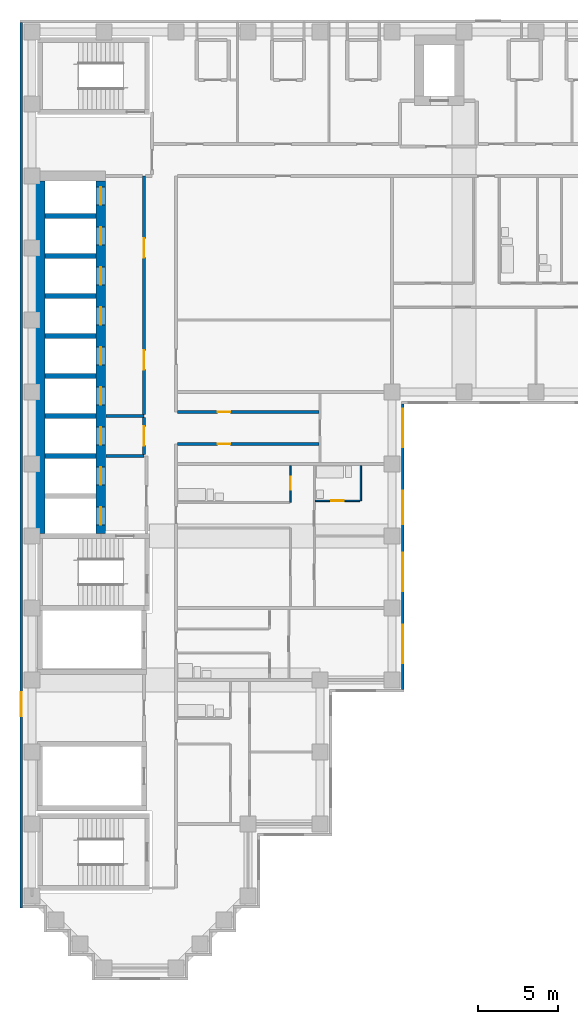
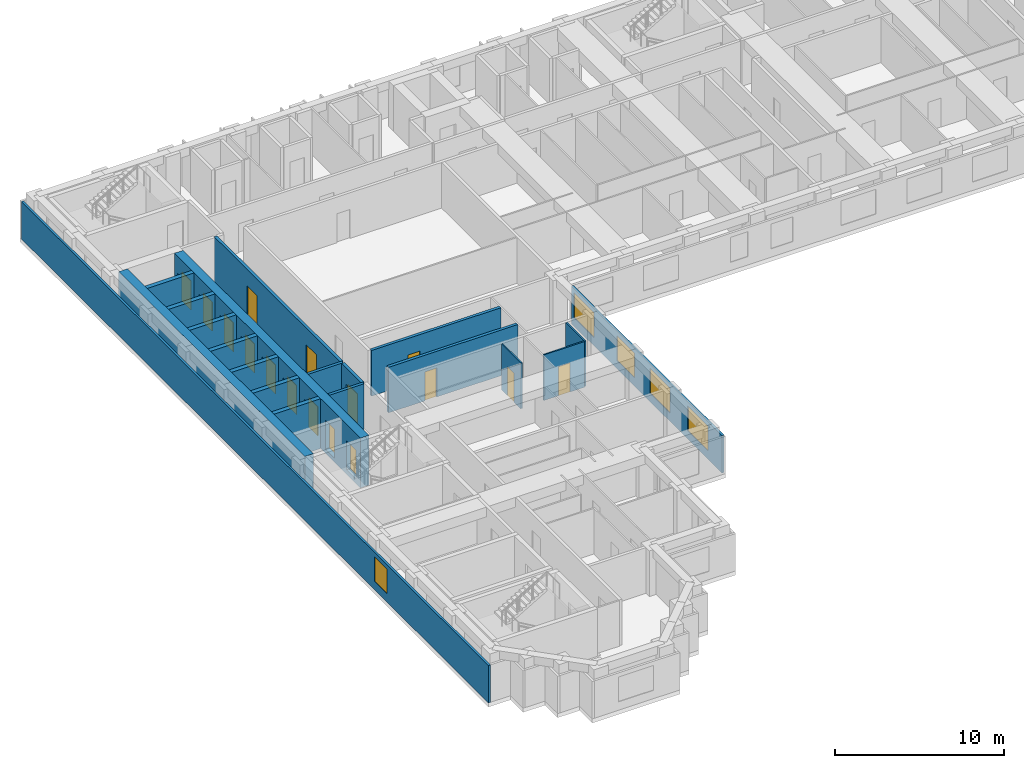
# One storey, part 4 of 12: 20 walls, 16 doors, 5 windows, 21 openings.
"""IFC4 building model written with IfcOpenShell, lengths in metres."""

from ifc_helpers import new_model, si_unit, direction, frame, frame_2d, origin, place, context, subcontext, project, spatial, rectangle, extrude, material, layer, layer_set, type_object, element, fill, save


model = new_model("IFC4")

# Units and contexts
model_context = context("Model", 3, precision=1e-05, world=origin(), true_north=direction((0.0, 1.0)))
body_context = subcontext(model_context, "Body", "Model", "MODEL_VIEW")
ifc_project = project(units=[si_unit("LENGTHUNIT", "METRE"), si_unit("AREAUNIT", "SQUARE_METRE"), si_unit("VOLUMEUNIT", "CUBIC_METRE"), si_unit("PLANEANGLEUNIT", "RADIAN"), si_unit("MASSUNIT", "GRAM", prefix="KILO")], contexts=[model_context])

# Site, building, storey
site_placement = place(None, origin())
site = spatial("IfcSite", under=ifc_project, at=site_placement, CompositionType="ELEMENT")
building_placement = place(site_placement, origin())
building = spatial("IfcBuilding", under=site, at=building_placement, Name="Firuza Court", CompositionType="ELEMENT")
storey_placement = place(building_placement, frame((0.0, 0.0, 155.60009765625)))
storey = spatial("IfcBuildingStorey", under=building, at=storey_placement, Name="L39", CompositionType="ELEMENT", Elevation=155.60009765625)

# Wall, opening, door
ifc_material_1 = material(Name="Moisture-resistant gypsum board partition")
ifc_layer_1 = layer(ifc_material_1, 0.10009765625)
ifc_layer_set_1 = layer_set([ifc_layer_1], Name="Moisture-resistant gypsum board partition")
wall_type_1 = type_object("IfcWallType", Name="Bathroom partition 100", PredefinedType="PLUMBINGWALL", material=ifc_layer_set_1)
wall_1_placement = place(storey_placement, frame((17.699951171875, 29.199951171875, 0.0), z_axis=(0.0, 0.0, 1.0), x_axis=(1.0, 0.0, 0.0)))
wall_1 = element("IfcWall", 1, at=wall_1_placement, inside=storey, type_object=wall_type_1, Name="Bathroom partition 100 L39", PredefinedType="PLUMBINGWALL", context=body_context, shape_type="SweptSolid", body=[
    extrude(rectangle(XDim=2.800048828125, YDim=0.10009765625, at=frame_2d((1.39990234375, 0.0))), origin(), (0.0, 0.0, 1.0), 3.2998046875),
])
opening_1_placement = place(wall_1_placement, frame((1.0, 0.0, 0.0)))
opening_1 = element("IfcOpeningElement", 2, at=opening_1_placement, cuts=wall_1, Name="Opening D39034", PredefinedType="OPENING", context=body_context, shape_type="SweptSolid", body=[
    extrude(rectangle(XDim=0.800048828125, YDim=2.10009765625, at=frame_2d((0.39990234375, 1.050048828125))), frame((0.0, 0.06201171875, 0.0), z_axis=(0.0, -1.0, 0.0), x_axis=(1.0, 0.0, 0.0)), (0.0, 0.0, 1.0), 0.1240234375),
])
ifc_material_2 = material(Name="Timber door leaf in hardwood frame", Category="wood")
door_type_1 = type_object("IfcDoorType", Name="Bathroom door 800", OperationType="SINGLE_SWING_LEFT", PredefinedType="DOOR", material=ifc_material_2)
door_1_placement = place(opening_1_placement, origin())
door_1 = element("IfcDoor", 3, at=door_1_placement, inside=storey, type_object=door_type_1, Name="En-suite door", OperationType="SINGLE_SWING_LEFT", OverallHeight=2.10009765625, OverallWidth=0.800048828125, PredefinedType="DOOR", context=body_context, shape_type="SweptSolid", body=[
    extrude(rectangle(XDim=0.800048828125, YDim=2.10009765625, at=frame_2d((0.39990234375, 1.050048828125))), frame((0.0, 0.02490234375, 0.0), z_axis=(0.0, -1.0, 0.0), x_axis=(1.0, 0.0, 0.0)), (0.0, 0.0, 1.0), 0.050048828125),
])
fill(opening_1, door_1)

# Walls
wall_2_placement = place(storey_placement, frame((20.550048828125, 29.199951171875, 0.0), z_axis=(0.0, 0.0, 1.0), x_axis=(0.0, 1.0, 0.0)))
element("IfcWall", 4, at=wall_2_placement, inside=storey, type_object=wall_type_1, Name="Bathroom partition 100 L39", PredefinedType="PLUMBINGWALL", context=body_context, shape_type="SweptSolid", body=[
    extrude(rectangle(XDim=2.199951171875, YDim=0.10009765625, at=frame_2d((1.10009765625, 0.0))), origin(), (0.0, 0.0, 1.0), 3.2998046875),
])
ifc_material_3 = material(Name="Concrete C60/75", Category="concrete")
ifc_layer_2 = layer(ifc_material_3, 0.300048828125)
ifc_layer_set_2 = layer_set([ifc_layer_2], Name="Concrete C60/75")
wall_type_2 = type_object("IfcWallType", Name="Core wall 300 C60/75", PredefinedType="SHEAR", material=ifc_layer_set_2)
for number, where, z_axis, x_axis, name in (
    (5, (0.800048828125, 32.0, -0.300048828125), (0.0, 0.0, 1.0), (1.0, 0.0, 0.0), "Core wall lift shaft L39"),
    (6, (0.800048828125, 34.5, -0.300048828125), (0.0, 0.0, 1.0), (1.0, 0.0, 0.0), "Core wall lift shaft L39"),
    (7, (0.800048828125, 37.0, -0.300048828125), (0.0, 0.0, 1.0), (1.0, 0.0, 0.0), "Core wall lift shaft L39"),
    (8, (0.800048828125, 39.5, -0.300048828125), (0.0, 0.0, 1.0), (1.0, 0.0, 0.0), "Core wall lift shaft L39"),
    (9, (0.800048828125, 42.0, -0.300048828125), (0.0, 0.0, 1.0), (1.0, 0.0, 0.0), "Core wall lift shaft L39"),
    (10, (0.800048828125, 44.5, -0.300048828125), (0.0, 0.0, 1.0), (1.0, 0.0, 0.0), "Core wall lift shaft L39"),
    (11, (0.800048828125, 47.0, -0.300048828125), (0.0, 0.0, 1.0), (1.0, 0.0, 0.0), "Core wall lift shaft L39"),
):
    element("IfcWall", number, at=place(storey_placement, frame(where, z_axis=z_axis, x_axis=x_axis)), inside=storey, type_object=wall_type_2, Name=name, PredefinedType="SHEAR", context=body_context, shape_type="SweptSolid", body=[
        extrude(rectangle(XDim=3.199951171875, YDim=0.300048828125, at=frame_2d((1.60009765625, 0.0))), origin(), (0.0, 0.0, 1.0), 3.599853515625),
    ])
ifc_layer_3 = layer(ifc_material_3, 0.60009765625)
ifc_layer_set_3 = layer_set([ifc_layer_3], Name="Concrete C60/75")
wall_type_3 = type_object("IfcWallType", Name="Core wall 600 C60/75", PredefinedType="SHEAR", material=ifc_layer_set_3)
wall_3_placement = place(storey_placement, frame((0.5, 27.14990234375, -0.300048828125), z_axis=(0.0, 0.0, 1.0), x_axis=(0.0, 1.0, 0.0)))
element("IfcWall", 12, at=wall_3_placement, inside=storey, type_object=wall_type_3, Name="Core wall lift shaft L39", PredefinedType="SHEAR", context=body_context, shape_type="SweptSolid", body=[
    extrude(rectangle(XDim=22.050048828125, YDim=0.60009765625, at=frame_2d((11.02490234375, 0.0))), origin(), (0.0, 0.0, 1.0), 3.599853515625),
])

# Wall, openings, doors
wall_4_placement = place(storey_placement, frame((4.300048828125, 27.14990234375, -0.300048828125), z_axis=(0.0, 0.0, 1.0), x_axis=(0.0, 1.0, 0.0)))
wall_4 = element("IfcWall", 13, at=wall_4_placement, inside=storey, type_object=wall_type_3, Name="Core wall lift shaft L39", PredefinedType="SHEAR", context=body_context, shape_type="SweptSolid", body=[
    extrude(rectangle(XDim=22.050048828125, YDim=0.60009765625, at=frame_2d((11.02490234375, 0.0))), origin(), (0.0, 0.0, 1.0), 3.599853515625),
])
opening_2_placement = place(wall_4_placement, frame((3.050048828125, 0.0, 0.300048828125)))
opening_2 = element("IfcOpeningElement", 14, at=opening_2_placement, cuts=wall_4, Name="Opening LD-FL1-39", PredefinedType="OPENING", context=body_context, shape_type="SweptSolid", body=[
    extrude(rectangle(XDim=1.10009765625, YDim=2.10009765625, at=frame_2d((0.550048828125, 1.050048828125))), frame((0.0, 0.31201171875, 0.0), z_axis=(0.0, -1.0, 0.0), x_axis=(1.0, 0.0, 0.0)), (0.0, 0.0, 1.0), 0.6240234375),
])
opening_3_placement = place(wall_4_placement, frame((0.550048828125, 0.0, 0.300048828125)))
opening_3 = element("IfcOpeningElement", 15, at=opening_3_placement, cuts=wall_4, Name="Opening LD-FL2-39", PredefinedType="OPENING", context=body_context, shape_type="SweptSolid", body=[
    extrude(rectangle(XDim=1.10009765625, YDim=2.10009765625, at=frame_2d((0.550048828125, 1.050048828125))), frame((0.0, 0.31201171875, 0.0), z_axis=(0.0, -1.0, 0.0), x_axis=(1.0, 0.0, 0.0)), (0.0, 0.0, 1.0), 0.6240234375),
])
opening_4_placement = place(wall_4_placement, frame((20.550048828125, 0.0, 0.300048828125)))
opening_4 = element("IfcOpeningElement", 16, at=opening_4_placement, cuts=wall_4, Name="Opening LD-HB1-39", PredefinedType="OPENING", context=body_context, shape_type="SweptSolid", body=[
    extrude(rectangle(XDim=1.10009765625, YDim=2.10009765625, at=frame_2d((0.550048828125, 1.050048828125))), frame((0.0, 0.31201171875, 0.0), z_axis=(0.0, -1.0, 0.0), x_axis=(1.0, 0.0, 0.0)), (0.0, 0.0, 1.0), 0.6240234375),
])
opening_5_placement = place(wall_4_placement, frame((18.050048828125, 0.0, 0.300048828125)))
opening_5 = element("IfcOpeningElement", 17, at=opening_5_placement, cuts=wall_4, Name="Opening LD-HB2-39", PredefinedType="OPENING", context=body_context, shape_type="SweptSolid", body=[
    extrude(rectangle(XDim=1.10009765625, YDim=2.10009765625, at=frame_2d((0.550048828125, 1.050048828125))), frame((0.0, 0.31201171875, 0.0), z_axis=(0.0, -1.0, 0.0), x_axis=(1.0, 0.0, 0.0)), (0.0, 0.0, 1.0), 0.6240234375),
])
opening_6_placement = place(wall_4_placement, frame((15.550048828125, 0.0, 0.300048828125)))
opening_6 = element("IfcOpeningElement", 18, at=opening_6_placement, cuts=wall_4, Name="Opening LD-HB3-39", PredefinedType="OPENING", context=body_context, shape_type="SweptSolid", body=[
    extrude(rectangle(XDim=1.10009765625, YDim=2.10009765625, at=frame_2d((0.550048828125, 1.050048828125))), frame((0.0, 0.31201171875, 0.0), z_axis=(0.0, -1.0, 0.0), x_axis=(1.0, 0.0, 0.0)), (0.0, 0.0, 1.0), 0.6240234375),
])
opening_7_placement = place(wall_4_placement, frame((13.050048828125, 0.0, 0.300048828125)))
opening_7 = element("IfcOpeningElement", 19, at=opening_7_placement, cuts=wall_4, Name="Opening LD-HB4-39", PredefinedType="OPENING", context=body_context, shape_type="SweptSolid", body=[
    extrude(rectangle(XDim=1.10009765625, YDim=2.10009765625, at=frame_2d((0.550048828125, 1.050048828125))), frame((0.0, 0.31201171875, 0.0), z_axis=(0.0, -1.0, 0.0), x_axis=(1.0, 0.0, 0.0)), (0.0, 0.0, 1.0), 0.6240234375),
])
opening_8_placement = place(wall_4_placement, frame((10.550048828125, 0.0, 0.300048828125)))
opening_8 = element("IfcOpeningElement", 20, at=opening_8_placement, cuts=wall_4, Name="Opening LD-HB5-39", PredefinedType="OPENING", context=body_context, shape_type="SweptSolid", body=[
    extrude(rectangle(XDim=1.10009765625, YDim=2.10009765625, at=frame_2d((0.550048828125, 1.050048828125))), frame((0.0, 0.31201171875, 0.0), z_axis=(0.0, -1.0, 0.0), x_axis=(1.0, 0.0, 0.0)), (0.0, 0.0, 1.0), 0.6240234375),
])
opening_9_placement = place(wall_4_placement, frame((8.050048828125, 0.0, 0.300048828125)))
opening_9 = element("IfcOpeningElement", 21, at=opening_9_placement, cuts=wall_4, Name="Opening LD-HB6-39", PredefinedType="OPENING", context=body_context, shape_type="SweptSolid", body=[
    extrude(rectangle(XDim=1.10009765625, YDim=2.10009765625, at=frame_2d((0.550048828125, 1.050048828125))), frame((0.0, 0.31201171875, 0.0), z_axis=(0.0, -1.0, 0.0), x_axis=(1.0, 0.0, 0.0)), (0.0, 0.0, 1.0), 0.6240234375),
])
opening_10_placement = place(wall_4_placement, frame((5.550048828125, 0.0, 0.300048828125)))
opening_10 = element("IfcOpeningElement", 22, at=opening_10_placement, cuts=wall_4, Name="Opening LD-SL1-39", PredefinedType="OPENING", context=body_context, shape_type="SweptSolid", body=[
    extrude(rectangle(XDim=1.10009765625, YDim=2.10009765625, at=frame_2d((0.550048828125, 1.050048828125))), frame((0.0, 0.31201171875, 0.0), z_axis=(0.0, -1.0, 0.0), x_axis=(1.0, 0.0, 0.0)), (0.0, 0.0, 1.0), 0.6240234375),
])
ifc_material_4 = material(Name="Stainless steel 1.4301 door leaf", Category="steel")
door_type_2 = type_object("IfcDoorType", Name="Lift landing door 1100", OperationType="SLIDING_TO_LEFT", PredefinedType="DOOR", material=ifc_material_4)
door_2_placement = place(opening_2_placement, origin())
door_2 = element("IfcDoor", 23, at=door_2_placement, inside=storey, type_object=door_type_2, Name="Landing door FL1", OperationType="SLIDING_TO_LEFT", OverallHeight=2.10009765625, OverallWidth=1.10009765625, PredefinedType="DOOR", context=body_context, shape_type="SweptSolid", body=[
    extrude(rectangle(XDim=1.10009765625, YDim=2.10009765625, at=frame_2d((0.550048828125, 1.050048828125))), frame((0.0, 0.02490234375, 0.0), z_axis=(0.0, -1.0, 0.0), x_axis=(1.0, 0.0, 0.0)), (0.0, 0.0, 1.0), 0.050048828125),
])
fill(opening_2, door_2)
door_3_placement = place(opening_3_placement, origin())
door_3 = element("IfcDoor", 24, at=door_3_placement, inside=storey, type_object=door_type_2, Name="Landing door FL2", OperationType="SLIDING_TO_LEFT", OverallHeight=2.10009765625, OverallWidth=1.10009765625, PredefinedType="DOOR", context=body_context, shape_type="SweptSolid", body=[
    extrude(rectangle(XDim=1.10009765625, YDim=2.10009765625, at=frame_2d((0.550048828125, 1.050048828125))), frame((0.0, 0.02490234375, 0.0), z_axis=(0.0, -1.0, 0.0), x_axis=(1.0, 0.0, 0.0)), (0.0, 0.0, 1.0), 0.050048828125),
])
fill(opening_3, door_3)
door_4_placement = place(opening_4_placement, origin())
door_4 = element("IfcDoor", 25, at=door_4_placement, inside=storey, type_object=door_type_2, Name="Landing door HB1", OperationType="SLIDING_TO_LEFT", OverallHeight=2.10009765625, OverallWidth=1.10009765625, PredefinedType="DOOR", context=body_context, shape_type="SweptSolid", body=[
    extrude(rectangle(XDim=1.10009765625, YDim=2.10009765625, at=frame_2d((0.550048828125, 1.050048828125))), frame((0.0, 0.02490234375, 0.0), z_axis=(0.0, -1.0, 0.0), x_axis=(1.0, 0.0, 0.0)), (0.0, 0.0, 1.0), 0.050048828125),
])
fill(opening_4, door_4)
door_5_placement = place(opening_5_placement, origin())
door_5 = element("IfcDoor", 26, at=door_5_placement, inside=storey, type_object=door_type_2, Name="Landing door HB2", OperationType="SLIDING_TO_LEFT", OverallHeight=2.10009765625, OverallWidth=1.10009765625, PredefinedType="DOOR", context=body_context, shape_type="SweptSolid", body=[
    extrude(rectangle(XDim=1.10009765625, YDim=2.10009765625, at=frame_2d((0.550048828125, 1.050048828125))), frame((0.0, 0.02490234375, 0.0), z_axis=(0.0, -1.0, 0.0), x_axis=(1.0, 0.0, 0.0)), (0.0, 0.0, 1.0), 0.050048828125),
])
fill(opening_5, door_5)
door_6_placement = place(opening_6_placement, origin())
door_6 = element("IfcDoor", 27, at=door_6_placement, inside=storey, type_object=door_type_2, Name="Landing door HB3", OperationType="SLIDING_TO_LEFT", OverallHeight=2.10009765625, OverallWidth=1.10009765625, PredefinedType="DOOR", context=body_context, shape_type="SweptSolid", body=[
    extrude(rectangle(XDim=1.10009765625, YDim=2.10009765625, at=frame_2d((0.550048828125, 1.050048828125))), frame((0.0, 0.02490234375, 0.0), z_axis=(0.0, -1.0, 0.0), x_axis=(1.0, 0.0, 0.0)), (0.0, 0.0, 1.0), 0.050048828125),
])
fill(opening_6, door_6)
door_7_placement = place(opening_7_placement, origin())
door_7 = element("IfcDoor", 28, at=door_7_placement, inside=storey, type_object=door_type_2, Name="Landing door HB4", OperationType="SLIDING_TO_LEFT", OverallHeight=2.10009765625, OverallWidth=1.10009765625, PredefinedType="DOOR", context=body_context, shape_type="SweptSolid", body=[
    extrude(rectangle(XDim=1.10009765625, YDim=2.10009765625, at=frame_2d((0.550048828125, 1.050048828125))), frame((0.0, 0.02490234375, 0.0), z_axis=(0.0, -1.0, 0.0), x_axis=(1.0, 0.0, 0.0)), (0.0, 0.0, 1.0), 0.050048828125),
])
fill(opening_7, door_7)
door_8_placement = place(opening_8_placement, origin())
door_8 = element("IfcDoor", 29, at=door_8_placement, inside=storey, type_object=door_type_2, Name="Landing door HB5", OperationType="SLIDING_TO_LEFT", OverallHeight=2.10009765625, OverallWidth=1.10009765625, PredefinedType="DOOR", context=body_context, shape_type="SweptSolid", body=[
    extrude(rectangle(XDim=1.10009765625, YDim=2.10009765625, at=frame_2d((0.550048828125, 1.050048828125))), frame((0.0, 0.02490234375, 0.0), z_axis=(0.0, -1.0, 0.0), x_axis=(1.0, 0.0, 0.0)), (0.0, 0.0, 1.0), 0.050048828125),
])
fill(opening_8, door_8)
door_9_placement = place(opening_9_placement, origin())
door_9 = element("IfcDoor", 30, at=door_9_placement, inside=storey, type_object=door_type_2, Name="Landing door HB6", OperationType="SLIDING_TO_LEFT", OverallHeight=2.10009765625, OverallWidth=1.10009765625, PredefinedType="DOOR", context=body_context, shape_type="SweptSolid", body=[
    extrude(rectangle(XDim=1.10009765625, YDim=2.10009765625, at=frame_2d((0.550048828125, 1.050048828125))), frame((0.0, 0.02490234375, 0.0), z_axis=(0.0, -1.0, 0.0), x_axis=(1.0, 0.0, 0.0)), (0.0, 0.0, 1.0), 0.050048828125),
])
fill(opening_9, door_9)
door_10_placement = place(opening_10_placement, origin())
door_10 = element("IfcDoor", 31, at=door_10_placement, inside=storey, type_object=door_type_2, Name="Landing door SL1", OperationType="SLIDING_TO_LEFT", OverallHeight=2.10009765625, OverallWidth=1.10009765625, PredefinedType="DOOR", context=body_context, shape_type="SweptSolid", body=[
    extrude(rectangle(XDim=1.10009765625, YDim=2.10009765625, at=frame_2d((0.550048828125, 1.050048828125))), frame((0.0, 0.02490234375, 0.0), z_axis=(0.0, -1.0, 0.0), x_axis=(1.0, 0.0, 0.0)), (0.0, 0.0, 1.0), 0.050048828125),
])
fill(opening_10, door_10)

# Wall, opening, door
ifc_material_5 = material(Name="Blockwork, plastered both sides", Category="masonry")
ifc_layer_4 = layer(ifc_material_5, 0.199951171875)
ifc_layer_set_4 = layer_set([ifc_layer_4], Name="Blockwork, plastered both sides")
wall_type_4 = type_object("IfcWallType", Name="Corridor wall 200", PredefinedType="PARTITIONING", material=ifc_layer_set_4)
wall_5_placement = place(storey_placement, frame((9.10009765625, 32.75, 0.0), z_axis=(0.0, 0.0, 1.0), x_axis=(1.0, 0.0, 0.0)))
wall_5 = element("IfcWall", 32, at=wall_5_placement, inside=storey, type_object=wall_type_4, Name="Corridor wall 200 L39", PredefinedType="PARTITIONING", context=body_context, shape_type="SweptSolid", body=[
    extrude(rectangle(XDim=8.849853515625, YDim=0.199951171875, at=frame_2d((4.4248046875, 0.0))), origin(), (0.0, 0.0, 1.0), 3.2998046875),
])
opening_11_placement = place(wall_5_placement, frame((2.5, 0.0, 0.0)))
opening_11 = element("IfcOpeningElement", 33, at=opening_11_placement, cuts=wall_5, Name="Opening D39036", PredefinedType="OPENING", context=body_context, shape_type="SweptSolid", body=[
    extrude(rectangle(XDim=0.800048828125, YDim=2.10009765625, at=frame_2d((0.39990234375, 1.050048828125))), frame((0.0, 0.11181640625, 0.0), z_axis=(0.0, -1.0, 0.0), x_axis=(1.0, 0.0, 0.0)), (0.0, 0.0, 1.0), 0.223876953125),
])
ifc_material_6 = material(Name="Timber door leaf in hardwood frame", Category="wood")
door_type_3 = type_object("IfcDoorType", Name="Room door 800 EI 30", OperationType="SINGLE_SWING_LEFT", PredefinedType="DOOR", material=ifc_material_6)
door_11_placement = place(opening_11_placement, frame((0.800048828125, 0.0, 0.0), z_axis=(0.0, 0.0, 1.0), x_axis=(-1.0, 0.0, 0.0)))
door_11 = element("IfcDoor", 34, at=door_11_placement, inside=storey, type_object=door_type_3, Name="Store door", OperationType="SINGLE_SWING_RIGHT", OverallHeight=2.10009765625, OverallWidth=0.800048828125, PredefinedType="DOOR", context=body_context, shape_type="SweptSolid", body=[
    extrude(rectangle(XDim=0.800048828125, YDim=2.10009765625, at=frame_2d((0.39990234375, 1.050048828125))), frame((0.0, 0.02490234375, 0.0), z_axis=(0.0, -1.0, 0.0), x_axis=(1.0, 0.0, 0.0)), (0.0, 0.0, 1.0), 0.050048828125),
])
fill(opening_11, door_11)

wall_6_placement = place(storey_placement, frame((9.10009765625, 34.75, 0.0), z_axis=(0.0, 0.0, 1.0), x_axis=(1.0, 0.0, 0.0)))
wall_6 = element("IfcWall", 35, at=wall_6_placement, inside=storey, type_object=wall_type_4, Name="Corridor wall 200 L39", PredefinedType="PARTITIONING", context=body_context, shape_type="SweptSolid", body=[
    extrude(rectangle(XDim=8.849853515625, YDim=0.199951171875, at=frame_2d((4.4248046875, 0.0))), origin(), (0.0, 0.0, 1.0), 3.2998046875),
])
opening_12_placement = place(wall_6_placement, frame((2.5, 0.0, 0.0)))
opening_12 = element("IfcOpeningElement", 36, at=opening_12_placement, cuts=wall_6, Name="Opening D39038", PredefinedType="OPENING", context=body_context, shape_type="SweptSolid", body=[
    extrude(rectangle(XDim=0.800048828125, YDim=2.10009765625, at=frame_2d((0.39990234375, 1.050048828125))), frame((0.0, 0.11181640625, 0.0), z_axis=(0.0, -1.0, 0.0), x_axis=(1.0, 0.0, 0.0)), (0.0, 0.0, 1.0), 0.223876953125),
])
door_12_placement = place(opening_12_placement, origin())
door_12 = element("IfcDoor", 37, at=door_12_placement, inside=storey, type_object=door_type_3, Name="Store door", OperationType="SINGLE_SWING_LEFT", OverallHeight=2.10009765625, OverallWidth=0.800048828125, PredefinedType="DOOR", context=body_context, shape_type="SweptSolid", body=[
    extrude(rectangle(XDim=0.800048828125, YDim=2.10009765625, at=frame_2d((0.39990234375, 1.050048828125))), frame((0.0, 0.02490234375, 0.0), z_axis=(0.0, -1.0, 0.0), x_axis=(1.0, 0.0, 0.0)), (0.0, 0.0, 1.0), 0.050048828125),
])
fill(opening_12, door_12)

ifc_material_7 = material(Name="Timber stud partition, plasterboard both sides", Category="wood")
ifc_layer_5 = layer(ifc_material_7, 0.10009765625)
ifc_layer_set_5 = layer_set([ifc_layer_5], Name="Timber stud partition, plasterboard both sides")
wall_type_5 = type_object("IfcWallType", Name="Partition wall 100", PredefinedType="PARTITIONING", material=ifc_layer_set_5)
wall_7_placement = place(storey_placement, frame((16.14990234375, 29.10009765625, 0.0), z_axis=(0.0, 0.0, 1.0), x_axis=(0.0, 1.0, 0.0)))
wall_7 = element("IfcWall", 38, at=wall_7_placement, inside=storey, type_object=wall_type_5, Name="Partition wall 100 L39", PredefinedType="PARTITIONING", context=body_context, shape_type="SweptSolid", body=[
    extrude(rectangle(XDim=2.2998046875, YDim=0.10009765625, at=frame_2d((1.14990234375, 0.0))), origin(), (0.0, 0.0, 1.0), 3.2998046875),
])
opening_13_placement = place(wall_7_placement, frame((0.800048828125, 0.0, 0.0)))
opening_13 = element("IfcOpeningElement", 39, at=opening_13_placement, cuts=wall_7, Name="Opening D39033", PredefinedType="OPENING", context=body_context, shape_type="SweptSolid", body=[
    extrude(rectangle(XDim=0.800048828125, YDim=2.10009765625, at=frame_2d((0.39990234375, 1.050048828125))), frame((0.0, 0.06201171875, 0.0), z_axis=(0.0, -1.0, 0.0), x_axis=(1.0, 0.0, 0.0)), (0.0, 0.0, 1.0), 0.1240234375),
])
door_13_placement = place(opening_13_placement, origin())
door_13 = element("IfcDoor", 40, at=door_13_placement, inside=storey, type_object=door_type_1, Name="Bathroom door", OperationType="SINGLE_SWING_LEFT", OverallHeight=2.10009765625, OverallWidth=0.800048828125, PredefinedType="DOOR", context=body_context, shape_type="SweptSolid", body=[
    extrude(rectangle(XDim=0.800048828125, YDim=2.10009765625, at=frame_2d((0.39990234375, 1.050048828125))), frame((0.0, 0.02490234375, 0.0), z_axis=(0.0, -1.0, 0.0), x_axis=(1.0, 0.0, 0.0)), (0.0, 0.0, 1.0), 0.050048828125),
])
fill(opening_13, door_13)

# Wall, openings, windows
ifc_material_8 = material(Name="Ceramic tile", Category="ceramic")
ifc_layer_6 = layer(ifc_material_8, 0.02001953125)
ifc_material_9 = material(Name="Mineral wool insulation", Category="insulation")
ifc_layer_7 = layer(ifc_material_9, 0.050048828125)
ifc_material_10 = material(Name="Concrete C40/50 precast", Category="concrete")
ifc_layer_8 = layer(ifc_material_10, 0.080078125)
ifc_layer_set_6 = layer_set([ifc_layer_6, ifc_layer_7, ifc_layer_8], Name="Concrete C40/50 precast")
wall_type_6 = type_object("IfcWallType", Name="Precast cladding wall with turquoise TILE PANEL face 150", PredefinedType="STANDARD", material=ifc_layer_set_6)
wall_8_placement = place(storey_placement, frame((23.175048828125, 17.39990234375, 0.0), z_axis=(0.0, 0.0, 1.0), x_axis=(0.0, 1.0, 0.0)))
wall_8 = element("IfcWall", 41, at=wall_8_placement, inside=storey, type_object=wall_type_6, Name="Facade wall L39 E", PredefinedType="STANDARD", context=body_context, shape_type="SweptSolid", body=[
    extrude(rectangle(XDim=17.85009765625, YDim=0.14990234375, at=frame_2d((8.925048828125, 0.0))), origin(), (0.0, 0.0, 1.0), 2.699951171875),
])
opening_14_placement = place(wall_8_placement, frame((1.64990234375, 0.0, 0.60009765625)))
opening_14 = element("IfcOpeningElement", 42, at=opening_14_placement, cuts=wall_8, Name="Opening W1", PredefinedType="OPENING", context=body_context, shape_type="SweptSolid", body=[
    extrude(rectangle(XDim=2.39990234375, YDim=1.800048828125, at=frame_2d((1.199951171875, 0.89990234375))), frame((0.0, 0.0869140625, 0.0), z_axis=(0.0, -1.0, 0.0), x_axis=(1.0, 0.0, 0.0)), (0.0, 0.0, 1.0), 0.173828125),
])
opening_15_placement = place(wall_8_placement, frame((6.14990234375, 0.0, 0.60009765625)))
opening_15 = element("IfcOpeningElement", 43, at=opening_15_placement, cuts=wall_8, Name="Opening W1", PredefinedType="OPENING", context=body_context, shape_type="SweptSolid", body=[
    extrude(rectangle(XDim=2.39990234375, YDim=1.800048828125, at=frame_2d((1.199951171875, 0.89990234375))), frame((0.0, 0.0869140625, 0.0), z_axis=(0.0, -1.0, 0.0), x_axis=(1.0, 0.0, 0.0)), (0.0, 0.0, 1.0), 0.173828125),
])
opening_16_placement = place(wall_8_placement, frame((10.329345703125, 0.0, 0.60009765625)))
opening_16 = element("IfcOpeningElement", 44, at=opening_16_placement, cuts=wall_8, Name="Opening W6", PredefinedType="OPENING", context=body_context, shape_type="SweptSolid", body=[
    extrude(rectangle(XDim=2.10009765625, YDim=1.800048828125, at=frame_2d((1.050048828125, 0.89990234375))), frame((0.0, 0.0869140625, 0.0), z_axis=(0.0, -1.0, 0.0), x_axis=(1.0, 0.0, 0.0)), (0.0, 0.0, 1.0), 0.173828125),
])
opening_17_placement = place(wall_8_placement, frame((15.14990234375, 0.0, 0.60009765625)))
opening_17 = element("IfcOpeningElement", 45, at=opening_17_placement, cuts=wall_8, Name="Opening W1", PredefinedType="OPENING", context=body_context, shape_type="SweptSolid", body=[
    extrude(rectangle(XDim=2.39990234375, YDim=1.800048828125, at=frame_2d((1.199951171875, 0.89990234375))), frame((0.0, 0.0869140625, 0.0), z_axis=(0.0, -1.0, 0.0), x_axis=(1.0, 0.0, 0.0)), (0.0, 0.0, 1.0), 0.173828125),
])
ifc_material_11 = material(Name="Aluminium frame, triple clear glazing", Category="aluminium")
window_type_1 = type_object("IfcWindowType", Name="Window W1 2400 x 1800", PartitioningType="SINGLE_PANEL", PredefinedType="WINDOW", material=ifc_material_11)
window_1_placement = place(opening_14_placement, origin())
window_1 = element("IfcWindow", 46, at=window_1_placement, inside=storey, type_object=window_type_1, Name="Window L39", OverallHeight=1.800048828125, OverallWidth=2.39990234375, PartitioningType="SINGLE_PANEL", PredefinedType="WINDOW", context=body_context, shape_type="SweptSolid", body=[
    extrude(rectangle(XDim=2.39990234375, YDim=1.800048828125, at=frame_2d((1.199951171875, 0.89990234375))), frame((0.0, 0.030029296875, 0.0), z_axis=(0.0, -1.0, 0.0), x_axis=(1.0, 0.0, 0.0)), (0.0, 0.0, 1.0), 0.06005859375),
])
fill(opening_14, window_1)
window_2_placement = place(opening_15_placement, origin())
window_2 = element("IfcWindow", 47, at=window_2_placement, inside=storey, type_object=window_type_1, Name="Window L39", OverallHeight=1.800048828125, OverallWidth=2.39990234375, PartitioningType="SINGLE_PANEL", PredefinedType="WINDOW", context=body_context, shape_type="SweptSolid", body=[
    extrude(rectangle(XDim=2.39990234375, YDim=1.800048828125, at=frame_2d((1.199951171875, 0.89990234375))), frame((0.0, 0.030029296875, 0.0), z_axis=(0.0, -1.0, 0.0), x_axis=(1.0, 0.0, 0.0)), (0.0, 0.0, 1.0), 0.06005859375),
])
fill(opening_15, window_2)
window_3_placement = place(opening_17_placement, origin())
window_3 = element("IfcWindow", 48, at=window_3_placement, inside=storey, type_object=window_type_1, Name="Window L39", OverallHeight=1.800048828125, OverallWidth=2.39990234375, PartitioningType="SINGLE_PANEL", PredefinedType="WINDOW", context=body_context, shape_type="SweptSolid", body=[
    extrude(rectangle(XDim=2.39990234375, YDim=1.800048828125, at=frame_2d((1.199951171875, 0.89990234375))), frame((0.0, 0.030029296875, 0.0), z_axis=(0.0, -1.0, 0.0), x_axis=(1.0, 0.0, 0.0)), (0.0, 0.0, 1.0), 0.06005859375),
])
fill(opening_17, window_3)
ifc_material_12 = material(Name="Aluminium frame, triple clear glazing", Category="aluminium")
window_type_2 = type_object("IfcWindowType", Name="Window W6 2100 x 1800", PartitioningType="SINGLE_PANEL", PredefinedType="WINDOW", material=ifc_material_12)
window_4_placement = place(opening_16_placement, origin())
window_4 = element("IfcWindow", 49, at=window_4_placement, inside=storey, type_object=window_type_2, Name="Window L39", OverallHeight=1.800048828125, OverallWidth=2.10009765625, PartitioningType="SINGLE_PANEL", PredefinedType="WINDOW", context=body_context, shape_type="SweptSolid", body=[
    extrude(rectangle(XDim=2.10009765625, YDim=1.800048828125, at=frame_2d((1.050048828125, 0.89990234375))), frame((0.0, 0.030029296875, 0.0), z_axis=(0.0, -1.0, 0.0), x_axis=(1.0, 0.0, 0.0)), (0.0, 0.0, 1.0), 0.06005859375),
])
fill(opening_16, window_4)

# Wall, opening, window
wall_9_placement = place(storey_placement, frame((-0.675048828125, 59.10009765625, 0.0), z_axis=(0.0, 0.0, 1.0), x_axis=(0.0, -1.0, 0.0)))
wall_9 = element("IfcWall", 50, at=wall_9_placement, inside=storey, type_object=wall_type_6, Name="Facade wall L39 W", PredefinedType="STANDARD", context=body_context, shape_type="SweptSolid", body=[
    extrude(rectangle(XDim=55.35009765625, YDim=0.14990234375, at=frame_2d((27.675048828125, 0.0))), origin(), (0.0, 0.0, 1.0), 2.699951171875),
])
opening_18_placement = place(wall_9_placement, frame((41.853515625, 0.0, 0.60009765625)))
opening_18 = element("IfcOpeningElement", 51, at=opening_18_placement, cuts=wall_9, Name="Opening W2", PredefinedType="OPENING", context=body_context, shape_type="SweptSolid", body=[
    extrude(rectangle(XDim=1.5, YDim=1.800048828125, at=frame_2d((0.75, 0.89990234375))), frame((0.0, 0.0869140625, 0.0), z_axis=(0.0, -1.0, 0.0), x_axis=(1.0, 0.0, 0.0)), (0.0, 0.0, 1.0), 0.173828125),
])
ifc_material_13 = material(Name="Aluminium frame, triple clear glazing", Category="aluminium")
window_type_3 = type_object("IfcWindowType", Name="Window W2 1500 x 1800", PartitioningType="SINGLE_PANEL", PredefinedType="WINDOW", material=ifc_material_13)
window_5_placement = place(opening_18_placement, origin())
window_5 = element("IfcWindow", 52, at=window_5_placement, inside=storey, type_object=window_type_3, Name="Window L39", OverallHeight=1.800048828125, OverallWidth=1.5, PartitioningType="SINGLE_PANEL", PredefinedType="WINDOW", context=body_context, shape_type="SweptSolid", body=[
    extrude(rectangle(XDim=1.5, YDim=1.800048828125, at=frame_2d((0.75, 0.89990234375))), frame((0.0, 0.030029296875, 0.0), z_axis=(0.0, -1.0, 0.0), x_axis=(1.0, 0.0, 0.0)), (0.0, 0.0, 1.0), 0.06005859375),
])
fill(opening_18, window_5)

# Wall
ifc_material_14 = material(Name="Blockwork, fire-rated", Category="masonry")
ifc_layer_9 = layer(ifc_material_14, 0.199951171875)
ifc_layer_set_7 = layer_set([ifc_layer_9], Name="Blockwork, fire-rated")
wall_type_7 = type_object("IfcWallType", Name="Shaft wall 200", PredefinedType="PARTITIONING", material=ifc_layer_set_7)
wall_10_placement = place(storey_placement, frame((4.6201171875, 34.5, 0.0), z_axis=(0.0, 0.0, 1.0), x_axis=(1.0, 0.0, 0.0)))
element("IfcWall", 53, at=wall_10_placement, inside=storey, type_object=wall_type_7, Name="Shaft wall 200 L39", PredefinedType="PARTITIONING", context=body_context, shape_type="SweptSolid", body=[
    extrude(rectangle(XDim=2.3798828125, YDim=0.199951171875, at=frame_2d((1.18994140625, 0.0))), origin(), (0.0, 0.0, 1.0), 3.2998046875),
])

# Wall, openings, doors
wall_11_placement = place(storey_placement, frame((7.0, 34.60009765625, 0.0), z_axis=(0.0, 0.0, 1.0), x_axis=(0.0, 1.0, 0.0)))
wall_11 = element("IfcWall", 54, at=wall_11_placement, inside=storey, type_object=wall_type_7, Name="Shaft wall 200 L39", PredefinedType="PARTITIONING", context=body_context, shape_type="SweptSolid", body=[
    extrude(rectangle(XDim=14.89990234375, YDim=0.199951171875, at=frame_2d((7.449951171875, 0.0))), origin(), (0.0, 0.0, 1.0), 3.2998046875),
])
opening_19_placement = place(wall_11_placement, frame((2.800048828125, 0.0, 0.0)))
opening_19 = element("IfcOpeningElement", 55, at=opening_19_placement, cuts=wall_11, Name="Opening D39004", PredefinedType="OPENING", context=body_context, shape_type="SweptSolid", body=[
    extrude(rectangle(XDim=1.199951171875, YDim=2.10009765625, at=frame_2d((0.60009765625, 1.050048828125))), frame((0.0, 0.11181640625, 0.0), z_axis=(0.0, -1.0, 0.0), x_axis=(1.0, 0.0, 0.0)), (0.0, 0.0, 1.0), 0.223876953125),
])
opening_20_placement = place(wall_11_placement, frame((9.800048828125, 0.0, 0.0)))
opening_20 = element("IfcOpeningElement", 56, at=opening_20_placement, cuts=wall_11, Name="Opening D39005", PredefinedType="OPENING", context=body_context, shape_type="SweptSolid", body=[
    extrude(rectangle(XDim=1.199951171875, YDim=2.10009765625, at=frame_2d((0.60009765625, 1.050048828125))), frame((0.0, 0.11181640625, 0.0), z_axis=(0.0, -1.0, 0.0), x_axis=(1.0, 0.0, 0.0)), (0.0, 0.0, 1.0), 0.223876953125),
])
ifc_material_15 = material(Name="Timber door leaf in hardwood frame", Category="wood")
door_type_4 = type_object("IfcDoorType", Name="Lobby door 1200", OperationType="SINGLE_SWING_LEFT", PredefinedType="DOOR", material=ifc_material_15)
door_14_placement = place(opening_19_placement, origin())
door_14 = element("IfcDoor", 57, at=door_14_placement, inside=storey, type_object=door_type_4, Name="Lobby door", OperationType="SINGLE_SWING_LEFT", OverallHeight=2.10009765625, OverallWidth=1.199951171875, PredefinedType="DOOR", context=body_context, shape_type="SweptSolid", body=[
    extrude(rectangle(XDim=1.199951171875, YDim=2.10009765625, at=frame_2d((0.60009765625, 1.050048828125))), frame((0.0, 0.02490234375, 0.0), z_axis=(0.0, -1.0, 0.0), x_axis=(1.0, 0.0, 0.0)), (0.0, 0.0, 1.0), 0.050048828125),
])
fill(opening_19, door_14)
door_15_placement = place(opening_20_placement, origin())
door_15 = element("IfcDoor", 58, at=door_15_placement, inside=storey, type_object=door_type_4, Name="Lobby door", OperationType="SINGLE_SWING_RIGHT", OverallHeight=2.10009765625, OverallWidth=1.199951171875, PredefinedType="DOOR", context=body_context, shape_type="SweptSolid", body=[
    extrude(rectangle(XDim=1.199951171875, YDim=2.10009765625, at=frame_2d((0.60009765625, 1.050048828125))), frame((0.0, 0.02490234375, 0.0), z_axis=(0.0, -1.0, 0.0), x_axis=(1.0, 0.0, 0.0)), (0.0, 0.0, 1.0), 0.050048828125),
])
fill(opening_20, door_15)

# Wall
wall_12_placement = place(storey_placement, frame((4.6201171875, 32.0, 0.0), z_axis=(0.0, 0.0, 1.0), x_axis=(1.0, 0.0, 0.0)))
element("IfcWall", 59, at=wall_12_placement, inside=storey, type_object=wall_type_7, Name="Shaft wall 200 L39", PredefinedType="PARTITIONING", context=body_context, shape_type="SweptSolid", body=[
    extrude(rectangle(XDim=2.3798828125, YDim=0.199951171875, at=frame_2d((1.18994140625, 0.0))), origin(), (0.0, 0.0, 1.0), 3.2998046875),
])

# Wall, opening, door
wall_13_placement = place(storey_placement, frame((7.0, 32.10009765625, 0.0), z_axis=(0.0, 0.0, 1.0), x_axis=(0.0, 1.0, 0.0)))
wall_13 = element("IfcWall", 60, at=wall_13_placement, inside=storey, type_object=wall_type_7, Name="Shaft wall 200 L39", PredefinedType="PARTITIONING", context=body_context, shape_type="SweptSolid", body=[
    extrude(rectangle(XDim=2.2998046875, YDim=0.199951171875, at=frame_2d((1.14990234375, 0.0))), origin(), (0.0, 0.0, 1.0), 3.2998046875),
])
opening_21_placement = place(wall_13_placement, frame((0.550048828125, 0.0, 0.0)))
opening_21 = element("IfcOpeningElement", 61, at=opening_21_placement, cuts=wall_13, Name="Opening D39008", PredefinedType="OPENING", context=body_context, shape_type="SweptSolid", body=[
    extrude(rectangle(XDim=1.199951171875, YDim=2.10009765625, at=frame_2d((0.60009765625, 1.050048828125))), frame((0.0, 0.11181640625, 0.0), z_axis=(0.0, -1.0, 0.0), x_axis=(1.0, 0.0, 0.0)), (0.0, 0.0, 1.0), 0.223876953125),
])
door_16_placement = place(opening_21_placement, origin())
door_16 = element("IfcDoor", 62, at=door_16_placement, inside=storey, type_object=door_type_4, Name="Lobby door", OperationType="SINGLE_SWING_LEFT", OverallHeight=2.10009765625, OverallWidth=1.199951171875, PredefinedType="DOOR", context=body_context, shape_type="SweptSolid", body=[
    extrude(rectangle(XDim=1.199951171875, YDim=2.10009765625, at=frame_2d((0.60009765625, 1.050048828125))), frame((0.0, 0.02490234375, 0.0), z_axis=(0.0, -1.0, 0.0), x_axis=(1.0, 0.0, 0.0)), (0.0, 0.0, 1.0), 0.050048828125),
])
fill(opening_21, door_16)

save(model, "model.ifc")
